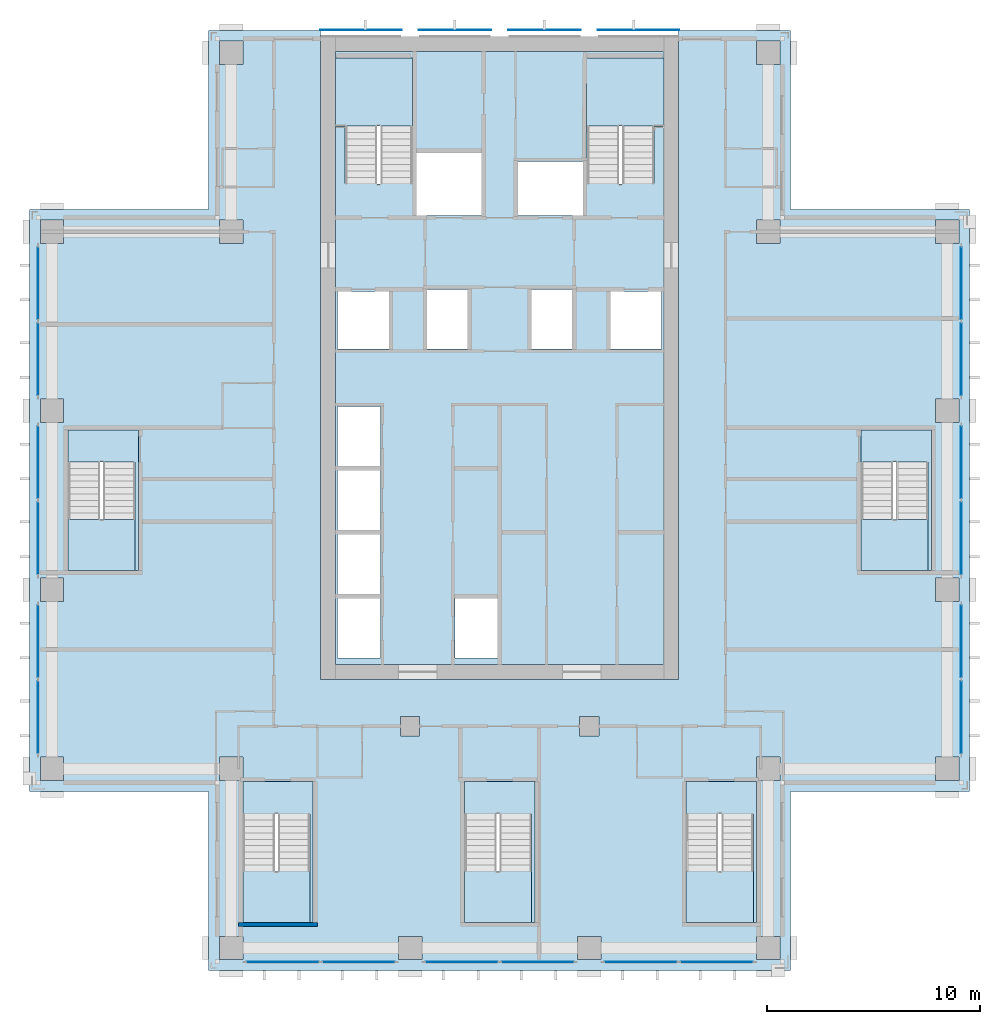
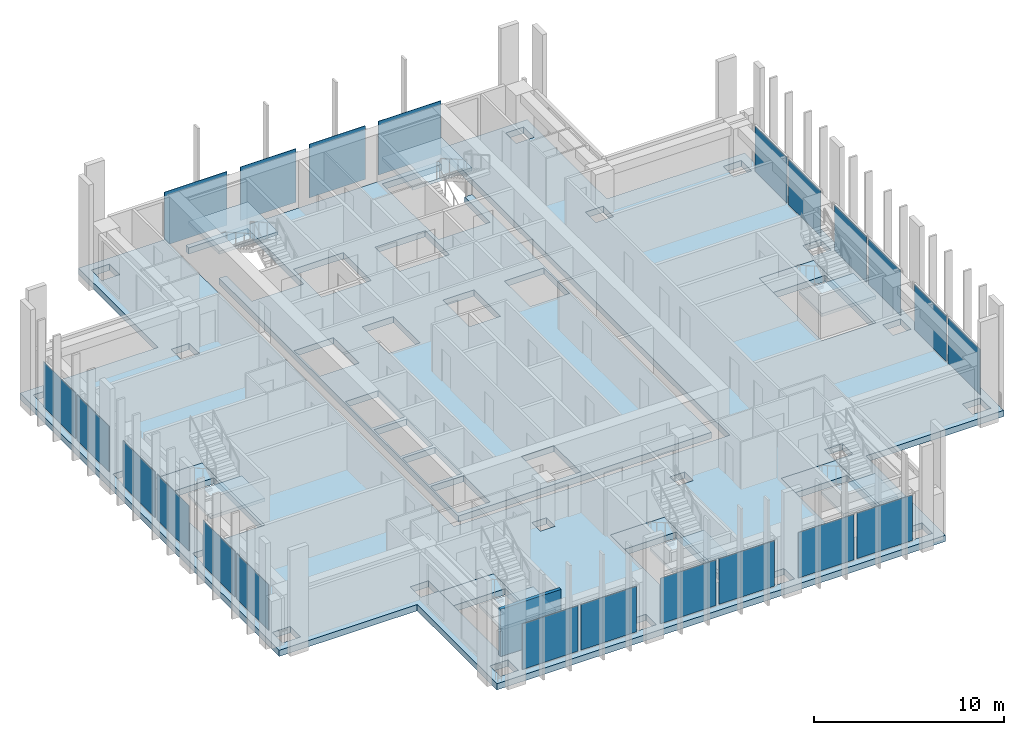
# One storey, part 8 of 16: 22 plates, 14 slabs, 1 wall, 16 elements without a shape of their own.
"""IFC4 building model written with IfcOpenShell, lengths in metres."""

from ifc_helpers import new_model, si_unit, direction, frame, frame_2d, origin, origin_2d, place, context, subcontext, project, spatial, polyline, rectangle, outline, extrude, material, layer, layer_set, type_object, element, aggregate, save


model = new_model("IFC4")

# Units and contexts
model_context = context("Model", 3, precision=1e-05, world=origin(), true_north=direction((0.0, 1.0)))
body_context = subcontext(model_context, "Body", "Model", "MODEL_VIEW")
ifc_project = project(units=[si_unit("LENGTHUNIT", "METRE"), si_unit("AREAUNIT", "SQUARE_METRE"), si_unit("VOLUMEUNIT", "CUBIC_METRE"), si_unit("PLANEANGLEUNIT", "RADIAN"), si_unit("MASSUNIT", "GRAM", prefix="KILO")], contexts=[model_context])

# Site, building, storey
site_placement = place(None, origin())
site = spatial("IfcSite", under=ifc_project, at=site_placement, CompositionType="ELEMENT")
building_placement = place(site_placement, origin())
building = spatial("IfcBuilding", under=site, at=building_placement, Name="Vermilion Ogive Tower", CompositionType="ELEMENT")
storey_placement = place(building_placement, frame((0.0, 0.0, 164.14990234375)))
storey = spatial("IfcBuildingStorey", under=building, at=storey_placement, Name="L42", CompositionType="ELEMENT", Elevation=164.14990234375)

# Curtain wall, plates
ifc_material_1 = material(Name="Low-iron laminated glazing in aluminium frame", Category="aluminium")
curtain_wall_type = type_object("IfcCurtainWallType", Name="Curtain wall CW7", PredefinedType="NOTDEFINED", material=ifc_material_1)
curtain_wall_1_placement = place(storey_placement, origin())
curtain_wall_1 = element("IfcCurtainWall", 1, at=curtain_wall_1_placement, inside=storey, type_object=curtain_wall_type, Name="Glazed skin S1", PredefinedType="NOTDEFINED")
ifc_material_2 = material(Name="Low-iron laminated glazing in aluminium frame", Category="aluminium")
ifc_layer_1 = layer(ifc_material_2, 0.031982421875)
ifc_layer_set_1 = layer_set([ifc_layer_1], Name="CW7 glazing panel 32")
plate_type_1 = type_object("IfcPlateType", Name="CW7 glazing panel 32", PredefinedType="CURTAIN_PANEL", material=ifc_layer_set_1)
plate_1_placement = place(storey_placement, frame((-10.179931640625, -21.64990234375, 0.06005859375), z_axis=(0.0, 0.0, 1.0), x_axis=(1.0, 0.0, 0.0)))
plate_1 = element("IfcPlate", 2, at=plate_1_placement, type_object=plate_type_1, Name="CW7-S1 panel 1.1", PredefinedType="CURTAIN_PANEL", context=body_context, shape_type="SweptSolid", body=[
    extrude(rectangle(XDim=3.3798828125, YDim=0.031982421875, at=origin_2d()), origin(), (0.0, 0.0, 1.0), 2.929931640625),
])
plate_2_placement = place(storey_placement, frame((-6.6201171875, -21.64990234375, 0.06005859375), z_axis=(0.0, 0.0, 1.0), x_axis=(1.0, 0.0, 0.0)))
plate_2 = element("IfcPlate", 3, at=plate_2_placement, type_object=plate_type_1, Name="CW7-S1 panel 2.1", PredefinedType="CURTAIN_PANEL", context=body_context, shape_type="SweptSolid", body=[
    extrude(rectangle(XDim=3.3798828125, YDim=0.031982421875, at=origin_2d()), origin(), (0.0, 0.0, 1.0), 2.929931640625),
])
aggregate(curtain_wall_1, [plate_1, plate_2])

curtain_wall_2_placement = place(storey_placement, origin())
curtain_wall_2 = element("IfcCurtainWall", 4, at=curtain_wall_2_placement, inside=storey, type_object=curtain_wall_type, Name="Glazed skin S2", PredefinedType="NOTDEFINED")
plate_3_placement = place(storey_placement, frame((-1.780029296875, -21.64990234375, 0.06005859375), z_axis=(0.0, 0.0, 1.0), x_axis=(1.0, 0.0, 0.0)))
plate_3 = element("IfcPlate", 5, at=plate_3_placement, type_object=plate_type_1, Name="CW7-S2 panel 1.1", PredefinedType="CURTAIN_PANEL", context=body_context, shape_type="SweptSolid", body=[
    extrude(rectangle(XDim=3.3798828125, YDim=0.031982421875, at=origin_2d()), origin(), (0.0, 0.0, 1.0), 2.929931640625),
])
plate_4_placement = place(storey_placement, frame((1.780029296875, -21.64990234375, 0.06005859375), z_axis=(0.0, 0.0, 1.0), x_axis=(1.0, 0.0, 0.0)))
plate_4 = element("IfcPlate", 6, at=plate_4_placement, type_object=plate_type_1, Name="CW7-S2 panel 2.1", PredefinedType="CURTAIN_PANEL", context=body_context, shape_type="SweptSolid", body=[
    extrude(rectangle(XDim=3.3798828125, YDim=0.031982421875, at=origin_2d()), origin(), (0.0, 0.0, 1.0), 2.929931640625),
])
aggregate(curtain_wall_2, [plate_3, plate_4])

curtain_wall_3_placement = place(storey_placement, origin())
curtain_wall_3 = element("IfcCurtainWall", 7, at=curtain_wall_3_placement, inside=storey, type_object=curtain_wall_type, Name="Glazed skin S3", PredefinedType="NOTDEFINED")
plate_5_placement = place(storey_placement, frame((6.6201171875, -21.64990234375, 0.06005859375), z_axis=(0.0, 0.0, 1.0), x_axis=(1.0, 0.0, 0.0)))
plate_5 = element("IfcPlate", 8, at=plate_5_placement, type_object=plate_type_1, Name="CW7-S3 panel 1.1", PredefinedType="CURTAIN_PANEL", context=body_context, shape_type="SweptSolid", body=[
    extrude(rectangle(XDim=3.3798828125, YDim=0.031982421875, at=origin_2d()), origin(), (0.0, 0.0, 1.0), 2.929931640625),
])
plate_6_placement = place(storey_placement, frame((10.179931640625, -21.64990234375, 0.06005859375), z_axis=(0.0, 0.0, 1.0), x_axis=(1.0, 0.0, 0.0)))
plate_6 = element("IfcPlate", 9, at=plate_6_placement, type_object=plate_type_1, Name="CW7-S3 panel 2.1", PredefinedType="CURTAIN_PANEL", context=body_context, shape_type="SweptSolid", body=[
    extrude(rectangle(XDim=3.3798828125, YDim=0.031982421875, at=origin_2d()), origin(), (0.0, 0.0, 1.0), 2.929931640625),
])
aggregate(curtain_wall_3, [plate_5, plate_6])

curtain_wall_4_placement = place(storey_placement, origin())
curtain_wall_4 = element("IfcCurtainWall", 10, at=curtain_wall_4_placement, inside=storey, type_object=curtain_wall_type, Name="Glazed skin E1", PredefinedType="NOTDEFINED")
plate_7_placement = place(storey_placement, frame((21.64990234375, -10.179931640625, 0.06005859375), z_axis=(0.0, 0.0, 1.0), x_axis=(0.0, 1.0, 0.0)))
plate_7 = element("IfcPlate", 11, at=plate_7_placement, type_object=plate_type_1, Name="CW7-E1 panel 1.1", PredefinedType="CURTAIN_PANEL", context=body_context, shape_type="SweptSolid", body=[
    extrude(rectangle(XDim=3.3798828125, YDim=0.031982421875, at=origin_2d()), origin(), (0.0, 0.0, 1.0), 2.929931640625),
])
plate_8_placement = place(storey_placement, frame((21.64990234375, -6.6201171875, 0.06005859375), z_axis=(0.0, 0.0, 1.0), x_axis=(0.0, 1.0, 0.0)))
plate_8 = element("IfcPlate", 12, at=plate_8_placement, type_object=plate_type_1, Name="CW7-E1 panel 2.1", PredefinedType="CURTAIN_PANEL", context=body_context, shape_type="SweptSolid", body=[
    extrude(rectangle(XDim=3.3798828125, YDim=0.031982421875, at=origin_2d()), origin(), (0.0, 0.0, 1.0), 2.929931640625),
])
aggregate(curtain_wall_4, [plate_7, plate_8])

curtain_wall_5_placement = place(storey_placement, origin())
curtain_wall_5 = element("IfcCurtainWall", 13, at=curtain_wall_5_placement, inside=storey, type_object=curtain_wall_type, Name="Glazed skin E2", PredefinedType="NOTDEFINED")
plate_9_placement = place(storey_placement, frame((21.64990234375, -1.780029296875, 0.06005859375), z_axis=(0.0, 0.0, 1.0), x_axis=(0.0, 1.0, 0.0)))
plate_9 = element("IfcPlate", 14, at=plate_9_placement, type_object=plate_type_1, Name="CW7-E2 panel 1.1", PredefinedType="CURTAIN_PANEL", context=body_context, shape_type="SweptSolid", body=[
    extrude(rectangle(XDim=3.3798828125, YDim=0.031982421875, at=origin_2d()), origin(), (0.0, 0.0, 1.0), 2.929931640625),
])
plate_10_placement = place(storey_placement, frame((21.64990234375, 1.780029296875, 0.06005859375), z_axis=(0.0, 0.0, 1.0), x_axis=(0.0, 1.0, 0.0)))
plate_10 = element("IfcPlate", 15, at=plate_10_placement, type_object=plate_type_1, Name="CW7-E2 panel 2.1", PredefinedType="CURTAIN_PANEL", context=body_context, shape_type="SweptSolid", body=[
    extrude(rectangle(XDim=3.3798828125, YDim=0.031982421875, at=origin_2d()), origin(), (0.0, 0.0, 1.0), 2.929931640625),
])
aggregate(curtain_wall_5, [plate_9, plate_10])

curtain_wall_6_placement = place(storey_placement, origin())
curtain_wall_6 = element("IfcCurtainWall", 16, at=curtain_wall_6_placement, inside=storey, type_object=curtain_wall_type, Name="Glazed skin E3", PredefinedType="NOTDEFINED")
plate_11_placement = place(storey_placement, frame((21.64990234375, 6.6201171875, 0.06005859375), z_axis=(0.0, 0.0, 1.0), x_axis=(0.0, 1.0, 0.0)))
plate_11 = element("IfcPlate", 17, at=plate_11_placement, type_object=plate_type_1, Name="CW7-E3 panel 1.1", PredefinedType="CURTAIN_PANEL", context=body_context, shape_type="SweptSolid", body=[
    extrude(rectangle(XDim=3.3798828125, YDim=0.031982421875, at=origin_2d()), origin(), (0.0, 0.0, 1.0), 2.929931640625),
])
plate_12_placement = place(storey_placement, frame((21.64990234375, 10.179931640625, 0.06005859375), z_axis=(0.0, 0.0, 1.0), x_axis=(0.0, 1.0, 0.0)))
plate_12 = element("IfcPlate", 18, at=plate_12_placement, type_object=plate_type_1, Name="CW7-E3 panel 2.1", PredefinedType="CURTAIN_PANEL", context=body_context, shape_type="SweptSolid", body=[
    extrude(rectangle(XDim=3.3798828125, YDim=0.031982421875, at=origin_2d()), origin(), (0.0, 0.0, 1.0), 2.929931640625),
])
aggregate(curtain_wall_6, [plate_11, plate_12])

curtain_wall_7_placement = place(storey_placement, origin())
curtain_wall_7 = element("IfcCurtainWall", 19, at=curtain_wall_7_placement, inside=storey, type_object=curtain_wall_type, Name="Glazed skin W1", PredefinedType="NOTDEFINED")
plate_13_placement = place(storey_placement, frame((-21.64990234375, 10.179931640625, 0.06005859375), z_axis=(0.0, 0.0, 1.0), x_axis=(0.0, -1.0, 0.0)))
plate_13 = element("IfcPlate", 20, at=plate_13_placement, type_object=plate_type_1, Name="CW7-W1 panel 1.1", PredefinedType="CURTAIN_PANEL", context=body_context, shape_type="SweptSolid", body=[
    extrude(rectangle(XDim=3.3798828125, YDim=0.031982421875, at=origin_2d()), origin(), (0.0, 0.0, 1.0), 2.929931640625),
])
plate_14_placement = place(storey_placement, frame((-21.64990234375, 6.6201171875, 0.06005859375), z_axis=(0.0, 0.0, 1.0), x_axis=(0.0, -1.0, 0.0)))
plate_14 = element("IfcPlate", 21, at=plate_14_placement, type_object=plate_type_1, Name="CW7-W1 panel 2.1", PredefinedType="CURTAIN_PANEL", context=body_context, shape_type="SweptSolid", body=[
    extrude(rectangle(XDim=3.3798828125, YDim=0.031982421875, at=origin_2d()), origin(), (0.0, 0.0, 1.0), 2.929931640625),
])
aggregate(curtain_wall_7, [plate_13, plate_14])

curtain_wall_8_placement = place(storey_placement, origin())
curtain_wall_8 = element("IfcCurtainWall", 22, at=curtain_wall_8_placement, inside=storey, type_object=curtain_wall_type, Name="Glazed skin W2", PredefinedType="NOTDEFINED")
plate_15_placement = place(storey_placement, frame((-21.64990234375, 1.780029296875, 0.06005859375), z_axis=(0.0, 0.0, 1.0), x_axis=(0.0, -1.0, 0.0)))
plate_15 = element("IfcPlate", 23, at=plate_15_placement, type_object=plate_type_1, Name="CW7-W2 panel 1.1", PredefinedType="CURTAIN_PANEL", context=body_context, shape_type="SweptSolid", body=[
    extrude(rectangle(XDim=3.3798828125, YDim=0.031982421875, at=origin_2d()), origin(), (0.0, 0.0, 1.0), 2.929931640625),
])
plate_16_placement = place(storey_placement, frame((-21.64990234375, -1.780029296875, 0.06005859375), z_axis=(0.0, 0.0, 1.0), x_axis=(0.0, -1.0, 0.0)))
plate_16 = element("IfcPlate", 24, at=plate_16_placement, type_object=plate_type_1, Name="CW7-W2 panel 2.1", PredefinedType="CURTAIN_PANEL", context=body_context, shape_type="SweptSolid", body=[
    extrude(rectangle(XDim=3.3798828125, YDim=0.031982421875, at=origin_2d()), origin(), (0.0, 0.0, 1.0), 2.929931640625),
])
aggregate(curtain_wall_8, [plate_15, plate_16])

curtain_wall_9_placement = place(storey_placement, origin())
curtain_wall_9 = element("IfcCurtainWall", 25, at=curtain_wall_9_placement, inside=storey, type_object=curtain_wall_type, Name="Glazed skin W3", PredefinedType="NOTDEFINED")
plate_17_placement = place(storey_placement, frame((-21.64990234375, -6.6201171875, 0.06005859375), z_axis=(0.0, 0.0, 1.0), x_axis=(0.0, -1.0, 0.0)))
plate_17 = element("IfcPlate", 26, at=plate_17_placement, type_object=plate_type_1, Name="CW7-W3 panel 1.1", PredefinedType="CURTAIN_PANEL", context=body_context, shape_type="SweptSolid", body=[
    extrude(rectangle(XDim=3.3798828125, YDim=0.031982421875, at=origin_2d()), origin(), (0.0, 0.0, 1.0), 2.929931640625),
])
plate_18_placement = place(storey_placement, frame((-21.64990234375, -10.179931640625, 0.06005859375), z_axis=(0.0, 0.0, 1.0), x_axis=(0.0, -1.0, 0.0)))
plate_18 = element("IfcPlate", 27, at=plate_18_placement, type_object=plate_type_1, Name="CW7-W3 panel 2.1", PredefinedType="CURTAIN_PANEL", context=body_context, shape_type="SweptSolid", body=[
    extrude(rectangle(XDim=3.3798828125, YDim=0.031982421875, at=origin_2d()), origin(), (0.0, 0.0, 1.0), 2.929931640625),
])
aggregate(curtain_wall_9, [plate_17, plate_18])

# Slabs
ifc_material_3 = material(Name="Concrete B40", Category="concrete")
ifc_layer_2 = layer(ifc_material_3, 0.39990234375)
ifc_layer_set_2 = layer_set([ifc_layer_2], Name="Core floor slab 400 B40")
slab_type_1 = type_object("IfcSlabType", Name="Core floor slab 400 B40", PredefinedType="FLOOR", material=ifc_layer_set_2)
slab_1_placement = place(storey_placement, frame((0.0, 0.0, -0.39990234375)))
element("IfcSlab", 28, at=slab_1_placement, inside=storey, type_object=slab_type_1, Name="L42-CK-FS1", PredefinedType="FLOOR", context=body_context, shape_type="SweptSolid", body=[
    extrude(outline(polyline([(5.75, 14.85009765625), (5.60009765625, 14.85009765625), (5.60009765625, 14.85205078125), (4.10009765625, 14.85205078125), (4.10009765625, 17.550048828125), (4.074951171875, 17.550048828125), (4.074951171875, 20.75), (7.696044921875, 20.75), (7.696044921875, 21.0458984375), (-7.696044921875, 21.0458984375), (-7.696044921875, 20.75), (-4.10009765625, 20.75), (-4.10009765625, 14.85205078125), (-5.60009765625, 14.85205078125), (-5.60009765625, 14.85009765625), (-5.75, 14.85009765625), (-5.75, 14.85205078125), (-7.25, 14.85205078125), (-7.25, 17.550048828125), (-7.696044921875, 17.550048828125), (-7.696044921875, -7.696044921875), (7.696044921875, -7.696044921875), (7.696044921875, 17.550048828125), (7.25, 17.550048828125), (7.25, 14.85205078125), (5.75, 14.85205078125), (5.75, 14.85009765625)]), holes=[polyline([(-7.60009765625, -7.39990234375), (-7.60009765625, -4.60009765625), (-5.60009765625, -4.60009765625), (-5.60009765625, -7.39990234375), (-7.60009765625, -7.39990234375)]), polyline([(-7.60009765625, -4.39990234375), (-7.60009765625, -1.60009765625), (-5.60009765625, -1.60009765625), (-5.60009765625, -4.39990234375), (-7.60009765625, -4.39990234375)]), polyline([(-7.60009765625, -1.39990234375), (-7.60009765625, 1.39990234375), (-5.60009765625, 1.39990234375), (-5.60009765625, -1.39990234375), (-7.60009765625, -1.39990234375)]), polyline([(-7.60009765625, 1.60009765625), (-7.60009765625, 4.39990234375), (-5.60009765625, 4.39990234375), (-5.60009765625, 1.60009765625), (-7.60009765625, 1.60009765625)]), polyline([(-7.60009765625, 7.10009765625), (-7.60009765625, 9.800048828125), (-5.199951171875, 9.800048828125), (-5.199951171875, 7.10009765625), (-7.60009765625, 7.10009765625)]), polyline([(-3.39990234375, 9.89990234375), (-1.5, 9.89990234375), (-1.5, 7.10009765625), (-3.39990234375, 7.10009765625), (-3.39990234375, 9.89990234375)]), polyline([(-2.10009765625, -7.39990234375), (-2.10009765625, -4.60009765625), (-0.10009765625, -4.60009765625), (-0.10009765625, -7.39990234375), (-2.10009765625, -7.39990234375)]), polyline([(5.199951171875, 7.10009765625), (5.199951171875, 9.800048828125), (7.60009765625, 9.800048828125), (7.60009765625, 7.10009765625), (5.199951171875, 7.10009765625)]), polyline([(1.5, 7.10009765625), (1.5, 9.89990234375), (3.39990234375, 9.89990234375), (3.39990234375, 7.10009765625), (1.5, 7.10009765625)]), polyline([(0.85009765625, 13.35009765625), (0.85009765625, 15.89990234375), (3.89990234375, 15.89990234375), (3.89990234375, 13.35009765625), (0.85009765625, 13.35009765625)]), polyline([(-3.89990234375, 16.300048828125), (-0.85009765625, 16.300048828125), (-0.85009765625, 13.35009765625), (-3.89990234375, 13.35009765625), (-3.89990234375, 16.300048828125)])]), origin(), (0.0, 0.0, 1.0), 0.39990234375),
])
slab_2_placement = place(storey_placement, frame((0.0, 0.0, -0.39990234375)))
element("IfcSlab", 29, at=slab_2_placement, inside=storey, type_object=slab_type_1, Name="L42-SF-ST3-1", PredefinedType="FLOOR", context=body_context, shape_type="SweptSolid", body=[
    extrude(outline(polyline([(-12.050048828125, -13.199951171875), (-12.050048828125, -14.701904296875), (-10.550048828125, -14.701904296875), (-10.550048828125, -14.699951171875), (-10.39990234375, -14.699951171875), (-10.39990234375, -14.701904296875), (-8.89990234375, -14.701904296875), (-8.89990234375, -19.800048828125), (-8.75, -19.800048828125), (-8.75, -13.199951171875), (-12.050048828125, -13.199951171875)])), origin(), (0.0, 0.0, 1.0), 0.39990234375),
])
slab_3_placement = place(storey_placement, frame((0.0, 0.0, -0.39990234375)))
element("IfcSlab", 30, at=slab_3_placement, inside=storey, type_object=slab_type_1, Name="L42-SF-ST4-1", PredefinedType="FLOOR", context=body_context, shape_type="SweptSolid", body=[
    extrude(outline(polyline([(-1.64990234375, -13.199951171875), (-1.64990234375, -14.701904296875), (-0.14990234375, -14.701904296875), (-0.14990234375, -14.699951171875), (0.0, -14.699951171875), (0.0, -14.701904296875), (1.5, -14.701904296875), (1.5, -19.800048828125), (1.64990234375, -19.800048828125), (1.64990234375, -13.199951171875), (-1.64990234375, -13.199951171875)])), origin(), (0.0, 0.0, 1.0), 0.39990234375),
])
slab_4_placement = place(storey_placement, frame((0.0, 0.0, -0.39990234375)))
element("IfcSlab", 31, at=slab_4_placement, inside=storey, type_object=slab_type_1, Name="L42-SF-ST5-1", PredefinedType="FLOOR", context=body_context, shape_type="SweptSolid", body=[
    extrude(outline(polyline([(8.75, -13.199951171875), (8.75, -14.701904296875), (10.25, -14.701904296875), (10.25, -14.699951171875), (10.39990234375, -14.699951171875), (10.39990234375, -14.701904296875), (11.89990234375, -14.701904296875), (11.89990234375, -19.800048828125), (12.050048828125, -19.800048828125), (12.050048828125, -13.199951171875), (8.75, -13.199951171875)])), origin(), (0.0, 0.0, 1.0), 0.39990234375),
])
slab_5_placement = place(storey_placement, frame((0.0, 0.0, -0.39990234375)))
element("IfcSlab", 32, at=slab_5_placement, inside=storey, type_object=slab_type_1, Name="L42-SF-ST8-1", PredefinedType="FLOOR", context=body_context, shape_type="SweptSolid", body=[
    extrude(outline(polyline([(16.949951171875, 3.300048828125), (16.949951171875, 1.798095703125), (18.449951171875, 1.798095703125), (18.449951171875, 1.800048828125), (18.60009765625, 1.800048828125), (18.60009765625, 1.798095703125), (20.10009765625, 1.798095703125), (20.10009765625, -3.300048828125), (20.25, -3.300048828125), (20.25, 3.300048828125), (16.949951171875, 3.300048828125)])), origin(), (0.0, 0.0, 1.0), 0.39990234375),
])
slab_6_placement = place(storey_placement, frame((0.0, 0.0, -0.39990234375)))
element("IfcSlab", 33, at=slab_6_placement, inside=storey, type_object=slab_type_1, Name="L42-SF-ST9-1", PredefinedType="FLOOR", context=body_context, shape_type="SweptSolid", body=[
    extrude(outline(polyline([(-20.25, 3.300048828125), (-20.25, 1.798095703125), (-18.75, 1.798095703125), (-18.75, 1.800048828125), (-18.60009765625, 1.800048828125), (-18.60009765625, 1.798095703125), (-17.10009765625, 1.798095703125), (-17.10009765625, -3.300048828125), (-16.949951171875, -3.300048828125), (-16.949951171875, 3.300048828125), (-20.25, 3.300048828125)])), origin(), (0.0, 0.0, 1.0), 0.39990234375),
])

# Plates
ifc_material_4 = material(Name="Low-iron laminated glazing in aluminium frame", Category="aluminium")
ifc_layer_3 = layer(ifc_material_4, 0.031982421875)
ifc_layer_set_3 = layer_set([ifc_layer_3], Name="Glazed rainscreen sheet 32")
plate_type_2 = type_object("IfcPlateType", Name="Glazed rainscreen sheet 32", PredefinedType="SHEET", material=ifc_layer_set_3)
plate_19_placement = place(storey_placement, frame((-6.510009765625, 22.06591796875, -0.39990234375), z_axis=(0.0, 0.0, 1.0), x_axis=(1.0, 0.0, 0.0)))
element("IfcPlate", 34, at=plate_19_placement, inside=storey, type_object=plate_type_2, Name="Glazed rainscreen sheet N1", PredefinedType="SHEET", context=body_context, shape_type="SweptSolid", body=[
    extrude(rectangle(XDim=3.820068359375, YDim=0.031982421875, at=origin_2d()), origin(), (0.0, 0.0, 1.0), 3.449951171875),
])
for number, where, z_axis, x_axis, name in (
    (35, (-2.10009765625, 22.06591796875, -0.39990234375), (0.0, 0.0, 1.0), (1.0, 0.0, 0.0), "Glazed rainscreen sheet N2"),
    (36, (2.10009765625, 22.06591796875, -0.39990234375), (0.0, 0.0, 1.0), (1.0, 0.0, 0.0), "Glazed rainscreen sheet N3"),
):
    element("IfcPlate", number, at=place(storey_placement, frame(where, z_axis=z_axis, x_axis=x_axis)), inside=storey, type_object=plate_type_2, Name=name, PredefinedType="SHEET", context=body_context, shape_type="SweptSolid", body=[
        extrude(rectangle(XDim=3.39990234375, YDim=0.031982421875, at=origin_2d()), origin(), (0.0, 0.0, 1.0), 3.449951171875),
    ])
plate_20_placement = place(storey_placement, frame((6.510009765625, 22.06591796875, -0.39990234375), z_axis=(0.0, 0.0, 1.0), x_axis=(1.0, 0.0, 0.0)))
element("IfcPlate", 37, at=plate_20_placement, inside=storey, type_object=plate_type_2, Name="Glazed rainscreen sheet N4", PredefinedType="SHEET", context=body_context, shape_type="SweptSolid", body=[
    extrude(rectangle(XDim=3.820068359375, YDim=0.031982421875, at=origin_2d()), origin(), (0.0, 0.0, 1.0), 3.449951171875),
])

# Slab
ifc_material_5 = material(Name="Concrete B45", Category="concrete")
ifc_layer_4 = layer(ifc_material_5, 0.39990234375)
ifc_layer_set_4 = layer_set([ifc_layer_4], Name="Post-tensioned flat plate 400 B45")
slab_type_2 = type_object("IfcSlabType", Name="Post-tensioned flat plate 400 B45", PredefinedType="FLOOR", material=ifc_layer_set_4)
slab_7_placement = place(storey_placement, frame((0.0, 0.0, -0.39990234375)))
element("IfcSlab", 38, at=slab_7_placement, inside=storey, type_object=slab_type_2, Name="L42-SL-1", PredefinedType="FLOOR", context=body_context, shape_type="SweptSolid", body=[
    extrude(outline(polyline([(-13.64990234375, -13.64990234375), (-22.050048828125, -13.64990234375), (-22.050048828125, 13.64990234375), (-13.64990234375, 13.64990234375), (-13.64990234375, 22.050048828125), (-8.39990234375, 22.050048828125), (-8.39990234375, -8.39990234375), (8.39990234375, -8.39990234375), (8.39990234375, 22.050048828125), (13.64990234375, 22.050048828125), (13.64990234375, 13.64990234375), (22.050048828125, 13.64990234375), (22.050048828125, -13.64990234375), (13.64990234375, -13.64990234375), (13.64990234375, -22.050048828125), (-13.64990234375, -22.050048828125), (-13.64990234375, -13.64990234375)]), holes=[polyline([(21.550048828125, 12.050048828125), (21.550048828125, 13.14990234375), (20.449951171875, 13.14990234375), (20.449951171875, 12.050048828125), (21.550048828125, 12.050048828125)]), polyline([(21.550048828125, 3.64990234375), (21.550048828125, 4.75), (20.449951171875, 4.75), (20.449951171875, 3.64990234375), (21.550048828125, 3.64990234375)]), polyline([(21.550048828125, -4.75), (21.550048828125, -3.64990234375), (20.449951171875, -3.64990234375), (20.449951171875, -4.75), (21.550048828125, -4.75)]), polyline([(21.550048828125, -13.14990234375), (21.550048828125, -12.050048828125), (20.449951171875, -12.050048828125), (20.449951171875, -13.14990234375), (21.550048828125, -13.14990234375)]), polyline([(20.25, -3.300048828125), (20.25, 3.300048828125), (16.949951171875, 3.300048828125), (16.949951171875, -3.300048828125), (20.25, -3.300048828125)]), polyline([(13.14990234375, 20.449951171875), (13.14990234375, 21.550048828125), (12.050048828125, 21.550048828125), (12.050048828125, 20.449951171875), (13.14990234375, 20.449951171875)]), polyline([(13.14990234375, 12.050048828125), (13.14990234375, 13.14990234375), (12.050048828125, 13.14990234375), (12.050048828125, 12.050048828125), (13.14990234375, 12.050048828125)]), polyline([(13.14990234375, -13.14990234375), (13.14990234375, -12.050048828125), (12.050048828125, -12.050048828125), (12.050048828125, -13.14990234375), (13.14990234375, -13.14990234375)]), polyline([(13.14990234375, -21.550048828125), (13.14990234375, -20.449951171875), (12.050048828125, -20.449951171875), (12.050048828125, -21.550048828125), (13.14990234375, -21.550048828125)]), polyline([(12.050048828125, -19.800048828125), (12.050048828125, -13.199951171875), (8.75, -13.199951171875), (8.75, -19.800048828125), (12.050048828125, -19.800048828125)]), polyline([(4.75, -20.449951171875), (3.64990234375, -20.449951171875), (3.64990234375, -21.550048828125), (4.75, -21.550048828125), (4.75, -20.449951171875)]), polyline([(4.64990234375, -11.050048828125), (4.64990234375, -10.14990234375), (3.75, -10.14990234375), (3.75, -11.050048828125), (4.64990234375, -11.050048828125)]), polyline([(1.64990234375, -19.800048828125), (1.64990234375, -13.199951171875), (-1.64990234375, -13.199951171875), (-1.64990234375, -19.800048828125), (1.64990234375, -19.800048828125)]), polyline([(-3.64990234375, -21.550048828125), (-3.64990234375, -20.449951171875), (-4.75, -20.449951171875), (-4.75, -21.550048828125), (-3.64990234375, -21.550048828125)]), polyline([(-3.75, -11.050048828125), (-3.75, -10.14990234375), (-4.64990234375, -10.14990234375), (-4.64990234375, -11.050048828125), (-3.75, -11.050048828125)]), polyline([(-8.75, -19.800048828125), (-8.75, -13.199951171875), (-12.050048828125, -13.199951171875), (-12.050048828125, -19.800048828125), (-8.75, -19.800048828125)]), polyline([(-12.050048828125, 20.449951171875), (-12.050048828125, 21.550048828125), (-13.14990234375, 21.550048828125), (-13.14990234375, 20.449951171875), (-12.050048828125, 20.449951171875)]), polyline([(-12.050048828125, 12.050048828125), (-12.050048828125, 13.14990234375), (-13.14990234375, 13.14990234375), (-13.14990234375, 12.050048828125), (-12.050048828125, 12.050048828125)]), polyline([(-12.050048828125, -13.14990234375), (-12.050048828125, -12.050048828125), (-13.14990234375, -12.050048828125), (-13.14990234375, -13.14990234375), (-12.050048828125, -13.14990234375)]), polyline([(-12.050048828125, -20.449951171875), (-13.14990234375, -20.449951171875), (-13.14990234375, -21.550048828125), (-12.050048828125, -21.550048828125), (-12.050048828125, -20.449951171875)]), polyline([(-16.949951171875, -3.300048828125), (-16.949951171875, 3.300048828125), (-20.25, 3.300048828125), (-20.25, -3.300048828125), (-16.949951171875, -3.300048828125)]), polyline([(-20.449951171875, -13.14990234375), (-20.449951171875, -12.050048828125), (-21.550048828125, -12.050048828125), (-21.550048828125, -13.14990234375), (-20.449951171875, -13.14990234375)]), polyline([(-20.449951171875, 12.050048828125), (-20.449951171875, 13.14990234375), (-21.550048828125, 13.14990234375), (-21.550048828125, 12.050048828125), (-20.449951171875, 12.050048828125)]), polyline([(-20.449951171875, 3.64990234375), (-20.449951171875, 4.75), (-21.550048828125, 4.75), (-21.550048828125, 3.64990234375), (-20.449951171875, 3.64990234375)]), polyline([(-20.449951171875, -4.75), (-20.449951171875, -3.64990234375), (-21.550048828125, -3.64990234375), (-21.550048828125, -4.75), (-20.449951171875, -4.75)])]), origin(), (0.0, 0.0, 1.0), 0.39990234375),
])

# Stair, slab
ifc_material_6 = material(Name="Concrete B40", Category="concrete")
stair_type = type_object("IfcStairType", Name="Exit stair 1500", PredefinedType="HALF_TURN_STAIR", material=ifc_material_6)
stair_1_placement = place(storey_placement, origin())
stair_1 = element("IfcStair", 39, at=stair_1_placement, inside=storey, type_object=stair_type, Name="L42 Exit Stair ST1", PredefinedType="HALF_TURN_STAIR")
ifc_material_7 = material(Name="Concrete B40", Category="concrete")
ifc_layer_5 = layer(ifc_material_7, 0.199951171875)
ifc_layer_set_5 = layer_set([ifc_layer_5], Name="Stair landing 200")
slab_type_3 = type_object("IfcSlabType", Name="Stair landing 200", PredefinedType="LANDING", material=ifc_layer_set_5)
slab_8_placement = place(storey_placement, frame((0.0, 0.0, 1.525146484375)))
slab_8 = element("IfcSlab", 40, at=slab_8_placement, type_object=slab_type_3, Name="ST1 landing 1", PredefinedType="LANDING", context=body_context, shape_type="SweptSolid", body=[
    extrude(outline(polyline([(-7.699951171875, 17.550048828125), (-7.25, 17.550048828125), (-7.25, 17.548095703125), (-5.75, 17.548095703125), (-5.75, 17.550048828125), (-5.60009765625, 17.550048828125), (-5.60009765625, 17.548095703125), (-4.10009765625, 17.548095703125), (-4.10009765625, 20.75), (-7.699951171875, 20.75), (-7.699951171875, 17.550048828125)])), origin(), (0.0, 0.0, 1.0), 0.199951171875),
])
aggregate(stair_1, [slab_8])

stair_2_placement = place(storey_placement, origin())
stair_2 = element("IfcStair", 41, at=stair_2_placement, inside=storey, type_object=stair_type, Name="L42 Exit Stair ST2", PredefinedType="HALF_TURN_STAIR")
slab_9_placement = place(storey_placement, frame((0.0, 0.0, 1.525146484375)))
slab_9 = element("IfcSlab", 42, at=slab_9_placement, type_object=slab_type_3, Name="ST2 landing 1", PredefinedType="LANDING", context=body_context, shape_type="SweptSolid", body=[
    extrude(outline(polyline([(5.60009765625, 17.550048828125), (5.75, 17.550048828125), (5.75, 17.548095703125), (7.25, 17.548095703125), (7.25, 17.550048828125), (7.699951171875, 17.550048828125), (7.699951171875, 20.75), (4.074951171875, 20.75), (4.074951171875, 17.550048828125), (4.10009765625, 17.550048828125), (4.10009765625, 17.548095703125), (5.60009765625, 17.548095703125), (5.60009765625, 17.550048828125)])), origin(), (0.0, 0.0, 1.0), 0.199951171875),
])
aggregate(stair_2, [slab_9])

stair_3_placement = place(storey_placement, origin())
stair_3 = element("IfcStair", 43, at=stair_3_placement, inside=storey, type_object=stair_type, Name="L42 Exit Stair ST3", PredefinedType="HALF_TURN_STAIR")
slab_10_placement = place(storey_placement, frame((0.0, 0.0, 1.525146484375)))
slab_10 = element("IfcSlab", 44, at=slab_10_placement, type_object=slab_type_3, Name="ST3 landing 1", PredefinedType="LANDING", context=body_context, shape_type="SweptSolid", body=[
    extrude(outline(polyline([(-8.75, -17.39990234375), (-8.89990234375, -17.39990234375), (-8.89990234375, -17.39794921875), (-10.39990234375, -17.39794921875), (-10.39990234375, -17.39990234375), (-10.550048828125, -17.39990234375), (-10.550048828125, -17.39794921875), (-12.050048828125, -17.39794921875), (-12.050048828125, -19.800048828125), (-8.75, -19.800048828125), (-8.75, -17.39990234375)])), origin(), (0.0, 0.0, 1.0), 0.199951171875),
])
aggregate(stair_3, [slab_10])

stair_4_placement = place(storey_placement, origin())
stair_4 = element("IfcStair", 45, at=stair_4_placement, inside=storey, type_object=stair_type, Name="L42 Exit Stair ST4", PredefinedType="HALF_TURN_STAIR")
slab_11_placement = place(storey_placement, frame((0.0, 0.0, 1.525146484375)))
slab_11 = element("IfcSlab", 46, at=slab_11_placement, type_object=slab_type_3, Name="ST4 landing 1", PredefinedType="LANDING", context=body_context, shape_type="SweptSolid", body=[
    extrude(outline(polyline([(1.64990234375, -17.39990234375), (1.5, -17.39990234375), (1.5, -17.39794921875), (0.0, -17.39794921875), (0.0, -17.39990234375), (-0.14990234375, -17.39990234375), (-0.14990234375, -17.39794921875), (-1.64990234375, -17.39794921875), (-1.64990234375, -19.7998046875), (1.64990234375, -19.7998046875), (1.64990234375, -17.39990234375)])), origin(), (0.0, 0.0, 1.0), 0.199951171875),
])
aggregate(stair_4, [slab_11])

stair_5_placement = place(storey_placement, origin())
stair_5 = element("IfcStair", 47, at=stair_5_placement, inside=storey, type_object=stair_type, Name="L42 Exit Stair ST5", PredefinedType="HALF_TURN_STAIR")
slab_12_placement = place(storey_placement, frame((0.0, 0.0, 1.525146484375)))
slab_12 = element("IfcSlab", 48, at=slab_12_placement, type_object=slab_type_3, Name="ST5 landing 1", PredefinedType="LANDING", context=body_context, shape_type="SweptSolid", body=[
    extrude(outline(polyline([(12.050048828125, -17.39990234375), (11.89990234375, -17.39990234375), (11.89990234375, -17.39794921875), (10.39990234375, -17.39794921875), (10.39990234375, -17.39990234375), (10.25, -17.39990234375), (10.25, -17.39794921875), (8.75, -17.39794921875), (8.75, -19.800048828125), (12.050048828125, -19.800048828125), (12.050048828125, -17.39990234375)])), origin(), (0.0, 0.0, 1.0), 0.199951171875),
])
aggregate(stair_5, [slab_12])

stair_6_placement = place(storey_placement, origin())
stair_6 = element("IfcStair", 49, at=stair_6_placement, inside=storey, type_object=stair_type, Name="L42 Exit Stair ST8", PredefinedType="HALF_TURN_STAIR")
slab_13_placement = place(storey_placement, frame((0.0, 0.0, 1.525146484375)))
slab_13 = element("IfcSlab", 50, at=slab_13_placement, type_object=slab_type_3, Name="ST8 landing 1", PredefinedType="LANDING", context=body_context, shape_type="SweptSolid", body=[
    extrude(outline(polyline([(20.25, -0.89990234375), (20.10009765625, -0.89990234375), (20.10009765625, -0.89794921875), (18.60009765625, -0.89794921875), (18.60009765625, -0.89990234375), (18.449951171875, -0.89990234375), (18.449951171875, -0.89794921875), (16.949951171875, -0.89794921875), (16.949951171875, -0.902099609375), (16.9501953125, -0.902099609375), (16.9501953125, -3.2998046875), (20.25, -3.2998046875), (20.25, -0.89990234375)])), origin(), (0.0, 0.0, 1.0), 0.199951171875),
])
aggregate(stair_6, [slab_13])

stair_7_placement = place(storey_placement, origin())
stair_7 = element("IfcStair", 51, at=stair_7_placement, inside=storey, type_object=stair_type, Name="L42 Exit Stair ST9", PredefinedType="HALF_TURN_STAIR")
slab_14_placement = place(storey_placement, frame((0.0, 0.0, 1.525146484375)))
slab_14 = element("IfcSlab", 52, at=slab_14_placement, type_object=slab_type_3, Name="ST9 landing 1", PredefinedType="LANDING", context=body_context, shape_type="SweptSolid", body=[
    extrude(outline(polyline([(-16.9501953125, -0.89990234375), (-17.10009765625, -0.89990234375), (-17.10009765625, -0.89794921875), (-18.60009765625, -0.89794921875), (-18.60009765625, -0.89990234375), (-18.75, -0.89990234375), (-18.75, -0.89794921875), (-20.25, -0.89794921875), (-20.25, -0.89990234375), (-20.25, -0.89990234375), (-20.25, -3.2998046875), (-16.9501953125, -3.2998046875), (-16.9501953125, -0.89990234375)])), origin(), (0.0, 0.0, 1.0), 0.199951171875),
])
aggregate(stair_7, [slab_14])

# Wall
ifc_material_8 = material(Name="Concrete B60", Category="concrete")
ifc_layer_6 = layer(ifc_material_8, 0.199951171875)
ifc_layer_set_6 = layer_set([ifc_layer_6], Name="Stair shaft wall 200 Concrete B60")
wall_type = type_object("IfcWallType", Name="Stair shaft wall 200 Concrete B60", PredefinedType="SOLIDWALL", material=ifc_layer_set_6)
wall_placement = place(storey_placement, frame((-12.25, -19.89990234375, 0.0), z_axis=(0.0, 0.0, 1.0), x_axis=(1.0, 0.0, 0.0)))
element("IfcWall", 53, at=wall_placement, inside=storey, type_object=wall_type, Name="L42-SW-ST3-S1", PredefinedType="SOLIDWALL", context=body_context, shape_type="SweptSolid", body=[
    extrude(rectangle(XDim=3.699951171875, YDim=0.199951171875, at=frame_2d((1.85009765625, 0.0))), origin(), (0.0, 0.0, 1.0), 3.050048828125),
])

save(model, "model.ifc")
